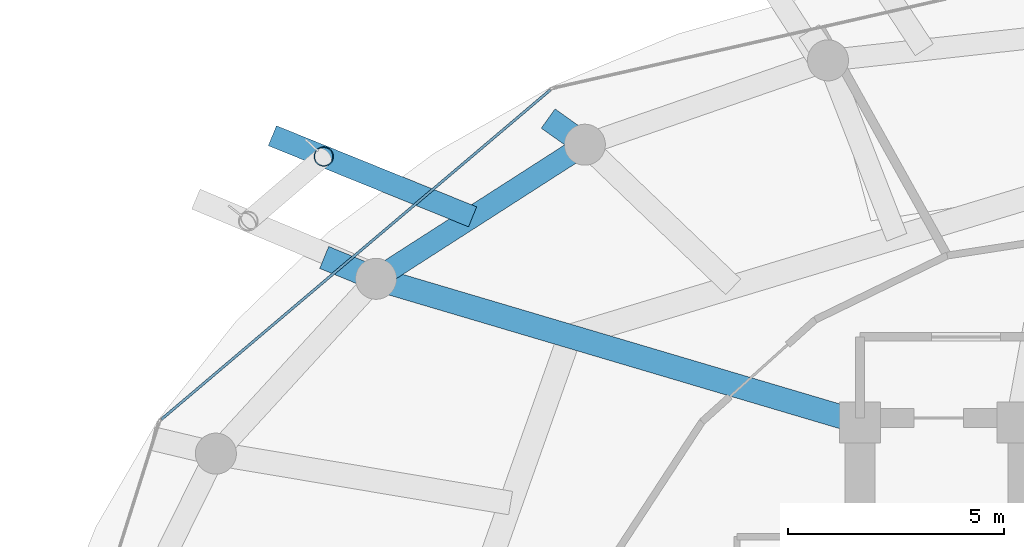
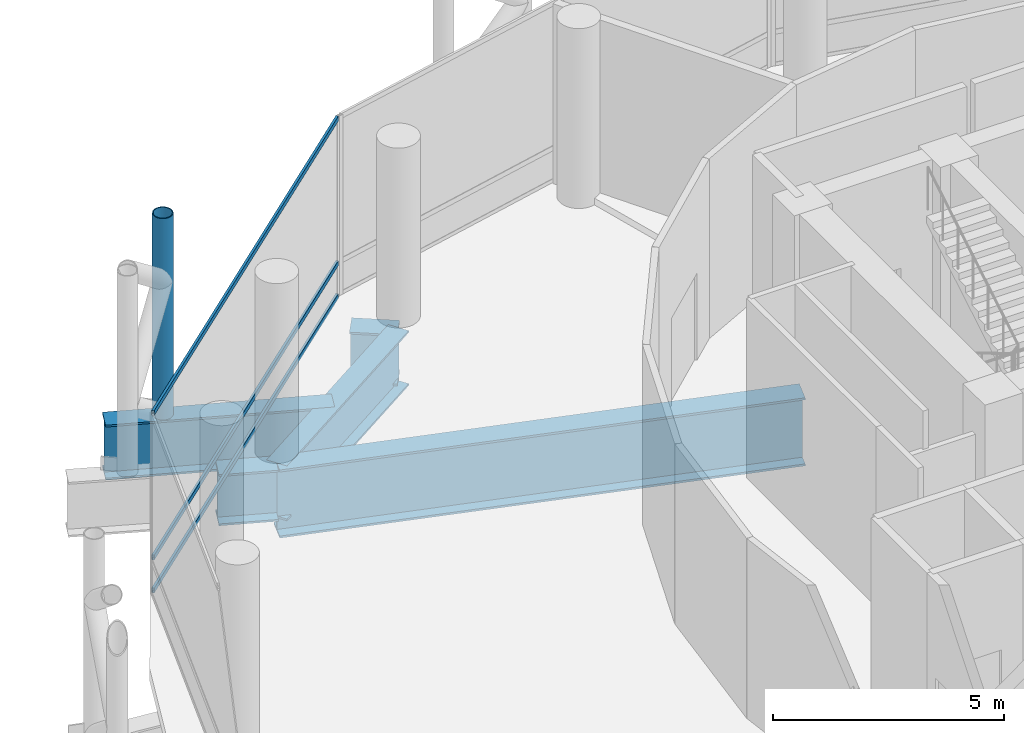
# One storey, part 14 of 29: 5 beams, 4 members, 1 element without a shape of its own.
"""IFC4 building model written with IfcOpenShell, lengths in metres."""

from ifc_helpers import new_model, si_unit, direction, frame, origin, origin_2d, place, context, subcontext, project, spatial, hollow_rectangle, hollow_circle, i_section, extrude, material, layer, layer_set, material_profile, profile_set, type_object, element, aggregate, save


model = new_model("IFC4")

# Units and contexts
model_context = context("Model", 3, precision=1e-05, world=origin(), true_north=direction((0.0, 1.0)))
body_context = subcontext(model_context, "Body", "Model", "MODEL_VIEW")
ifc_project = project(units=[si_unit("LENGTHUNIT", "METRE"), si_unit("AREAUNIT", "SQUARE_METRE"), si_unit("VOLUMEUNIT", "CUBIC_METRE"), si_unit("PLANEANGLEUNIT", "RADIAN"), si_unit("MASSUNIT", "GRAM", prefix="KILO")], contexts=[model_context])

# Site, building, storey
site_placement = place(None, origin())
site = spatial("IfcSite", under=ifc_project, at=site_placement, CompositionType="ELEMENT")
building_placement = place(site_placement, origin())
building = spatial("IfcBuilding", under=site, at=building_placement, Name="Nuhasar Tower", CompositionType="ELEMENT")
storey_placement = place(building_placement, frame((0.0, 0.0, 113.25)))
storey = spatial("IfcBuildingStorey", under=building, at=storey_placement, Name="L26", CompositionType="ELEMENT", Elevation=113.25)

# Beams
ifc_material_1 = material(Name="Steel S460", Category="steel")
ifc_material_profile_1 = material_profile(ifc_material_1, i_section(OverallWidth=0.550048828125, OverallDepth=1.35009765625, WebThickness=0.028076171875, FlangeThickness=0.050048828125, at=origin_2d()), Name="PG1350X550")
ifc_profile_set_1 = profile_set([ifc_material_profile_1], Name="Steel S460")
beam_type_1 = type_object("IfcBeamType", Name="BM-XFER-PG1350", PredefinedType="USERDEFINED", material=ifc_profile_set_1)
beam_1_placement = place(storey_placement, frame((22.489013671875, 40.6240234375, -0.9951171875), z_axis=(-0.924685878212, 0.380730911058, 0.0), x_axis=(-0.380730911058, -0.924685878212, 0.0)))
element("IfcBeam", 1, at=beam_1_placement, inside=storey, type_object=beam_type_1, Name="L26 Radial Step Transfer Girder 07", ObjectType="GIRDER", PredefinedType="USERDEFINED", context=body_context, shape_type="SweptSolid", body=[
    extrude(i_section(OverallWidth=0.550048828125, OverallDepth=1.35009765625, WebThickness=0.028076171875, FlangeThickness=0.050048828125, at=origin_2d()), origin(), (0.0, 0.0, 1.0), 1.2998046875),
])
beam_2_placement = place(storey_placement, frame((27.324951171875, 43.73095703125, -0.9951171875), z_axis=(-0.81422311816, 0.58055207678, 0.0), x_axis=(-0.58055207678, -0.81422311816, 0.0)))
element("IfcBeam", 2, at=beam_2_placement, inside=storey, type_object=beam_type_1, Name="L26 Outer Column Step Transfer Girder 09", ObjectType="GIRDER", PredefinedType="USERDEFINED", context=body_context, shape_type="SweptSolid", body=[
    extrude(i_section(OverallWidth=0.550048828125, OverallDepth=1.35009765625, WebThickness=0.028076171875, FlangeThickness=0.050048828125, at=origin_2d()), origin(), (0.0, 0.0, 1.0), 1.043701171875),
])
ifc_material_profile_2 = material_profile(ifc_material_1, i_section(OverallWidth=0.5, OverallDepth=1.449951171875, WebThickness=0.028076171875, FlangeThickness=0.050048828125, at=origin_2d()), Name="PG1450X500")
ifc_profile_set_2 = profile_set([ifc_material_profile_2], Name="Steel S460")
beam_type_2 = type_object("IfcBeamType", Name="BM-XFER-PG1450", PredefinedType="USERDEFINED", material=ifc_profile_set_2)
beam_3_placement = place(storey_placement, frame((27.324951171875, 43.73095703125, -1.044921875), z_axis=(-0.841327486207, -0.540525726448, 0.0), x_axis=(0.540525726448, -0.841327486207, 0.0)))
element("IfcBeam", 3, at=beam_3_placement, inside=storey, type_object=beam_type_2, Name="L26 Perimeter Ring Spandrel 09", ObjectType="GIRDER", PredefinedType="USERDEFINED", context=body_context, shape_type="SweptSolid", body=[
    extrude(i_section(OverallWidth=0.5, OverallDepth=1.449951171875, WebThickness=0.028076171875, FlangeThickness=0.050048828125, at=origin_2d()), origin(), (0.0, 0.0, 1.0), 5.748046875),
])
beam_4_placement = place(storey_placement, frame((24.72509765625, 42.06005859375, -1.044921875), z_axis=(-0.926839317348, 0.375458226461, 0.0), x_axis=(-0.375458226461, -0.926839317348, 0.0)))
element("IfcBeam", 4, at=beam_4_placement, inside=storey, type_object=beam_type_2, Name="L26 Exoskeleton Step Transfer Girder 09", ObjectType="GIRDER", PredefinedType="USERDEFINED", context=body_context, shape_type="SweptSolid", body=[
    extrude(i_section(OverallWidth=0.5, OverallDepth=1.449951171875, WebThickness=0.028076171875, FlangeThickness=0.050048828125, at=origin_2d()), origin(), (0.0, 0.0, 1.0), 5.00439453125),
])
ifc_material_profile_3 = material_profile(ifc_material_1, i_section(OverallWidth=0.550048828125, OverallDepth=1.800048828125, WebThickness=0.031982421875, FlangeThickness=0.054931640625, at=origin_2d()), Name="PG1800X550")
ifc_profile_set_3 = profile_set([ifc_material_profile_3], Name="Steel S460")
beam_type_3 = type_object("IfcBeamType", Name="BM-XFER-PG1800", PredefinedType="USERDEFINED", material=ifc_profile_set_3)
beam_5_placement = place(storey_placement, frame((33.699951171875, 37.300048828125, -1.219970703125), z_axis=(-0.958746492721, 0.284262489076, 0.0), x_axis=(-0.284262489076, -0.958746492721, 0.0)))
element("IfcBeam", 5, at=beam_5_placement, inside=storey, type_object=beam_type_3, Name="L26 Radial Floor Girder 07", ObjectType="GIRDER", PredefinedType="USERDEFINED", context=body_context, shape_type="SweptSolid", body=[
    extrude(i_section(OverallWidth=0.550048828125, OverallDepth=1.800048828125, WebThickness=0.031982421875, FlangeThickness=0.054931640625, at=origin_2d()), origin(), (0.0, 0.0, 1.0), 11.693359375),
])

# Curtain wall, members
ifc_material_2 = material(Name="Aluminium 6063-T6", Category="aluminium")
ifc_layer = layer(ifc_material_2, 0.239990234375)
ifc_layer_set = layer_set([ifc_layer], Name="Aluminium 6063-T6")
curtain_wall_type = type_object("IfcCurtainWallType", Name="CW-SKY-LBY", PredefinedType="NOTDEFINED", material=ifc_layer_set)
curtain_wall_placement = place(storey_placement, origin())
curtain_wall = element("IfcCurtainWall", 6, at=curtain_wall_placement, inside=storey, type_object=curtain_wall_type, Name="L26 Unitised Curtain Wall 05", PredefinedType="NOTDEFINED")
ifc_material_profile_4 = material_profile(ifc_material_2, hollow_rectangle(XDim=0.06005859375, YDim=0.1298828125, WallThickness=0.00439453125, at=origin_2d()), Name="CWT-6")
ifc_profile_set_4 = profile_set([ifc_material_profile_4], Name="Aluminium 6063-T6")
member_type_1 = type_object("IfcMemberType", Name="CW-TRN-S6", PredefinedType="USERDEFINED", material=ifc_profile_set_4)
member_1_placement = place(storey_placement, frame((26.524169921875, 44.999267578125, 0.030029296875), z_axis=(-0.76301903182, -0.646376018336, 0.0), x_axis=(0.646376018336, -0.76301903182, 0.0)))
member_1 = element("IfcMember", 7, at=member_1_placement, type_object=member_type_1, Name="CW-SL transom 1.1", ObjectType="TRANSOM", PredefinedType="USERDEFINED", context=body_context, shape_type="SweptSolid", body=[
    extrude(hollow_rectangle(XDim=0.06005859375, YDim=0.1298828125, WallThickness=0.00439453125, at=origin_2d()), origin(), (0.0, 0.0, 1.0), 11.804931640625),
])
member_2_placement = place(storey_placement, frame((26.524169921875, 44.999267578125, 0.89990234375), z_axis=(-0.76301903182, -0.646376018336, 0.0), x_axis=(0.646376018336, -0.76301903182, 0.0)))
member_2 = element("IfcMember", 8, at=member_2_placement, type_object=member_type_1, Name="CW-SL transom 1.2", ObjectType="TRANSOM", PredefinedType="USERDEFINED", context=body_context, shape_type="SweptSolid", body=[
    extrude(hollow_rectangle(XDim=0.06005859375, YDim=0.1298828125, WallThickness=0.00439453125, at=origin_2d()), origin(), (0.0, 0.0, 1.0), 11.804931640625),
])
member_3_placement = place(storey_placement, frame((26.524169921875, 44.999267578125, 4.719970703125), z_axis=(-0.76301903182, -0.646376018336, 0.0), x_axis=(0.646376018336, -0.76301903182, 0.0)))
member_3 = element("IfcMember", 9, at=member_3_placement, type_object=member_type_1, Name="CW-SL transom 1.3", ObjectType="TRANSOM", PredefinedType="USERDEFINED", context=body_context, shape_type="SweptSolid", body=[
    extrude(hollow_rectangle(XDim=0.06005859375, YDim=0.1298828125, WallThickness=0.00439453125, at=origin_2d()), origin(), (0.0, 0.0, 1.0), 11.804931640625),
])
aggregate(curtain_wall, [member_1, member_2, member_3])

# Member
ifc_material_profile_5 = material_profile(ifc_material_1, hollow_circle(Radius=0.228515625, WallThickness=0.022216796875, at=origin_2d()), Name="HSS457X22.2")
ifc_profile_set_5 = profile_set([ifc_material_profile_5], Name="Steel S460")
member_type_2 = type_object("IfcMemberType", Name="EXO-BRONZE-457", PredefinedType="BRACE", material=ifc_profile_set_5)
member_4_placement = place(storey_placement, frame((21.277099609375, 43.45703125, -0.320068359375), z_axis=(0.0, 0.0, 1.0), x_axis=(1.0, 0.0, 0.0)))
element("IfcMember", 10, at=member_4_placement, inside=storey, type_object=member_type_2, Name="L26 Exoskeleton Chord Column EC-05A", PredefinedType="BRACE", context=body_context, shape_type="SweptSolid", body=[
    extrude(hollow_circle(Radius=0.228515625, WallThickness=0.022216796875, at=origin_2d()), origin(), (0.0, 0.0, 1.0), 5.320068359375),
])

save(model, "model.ifc")
